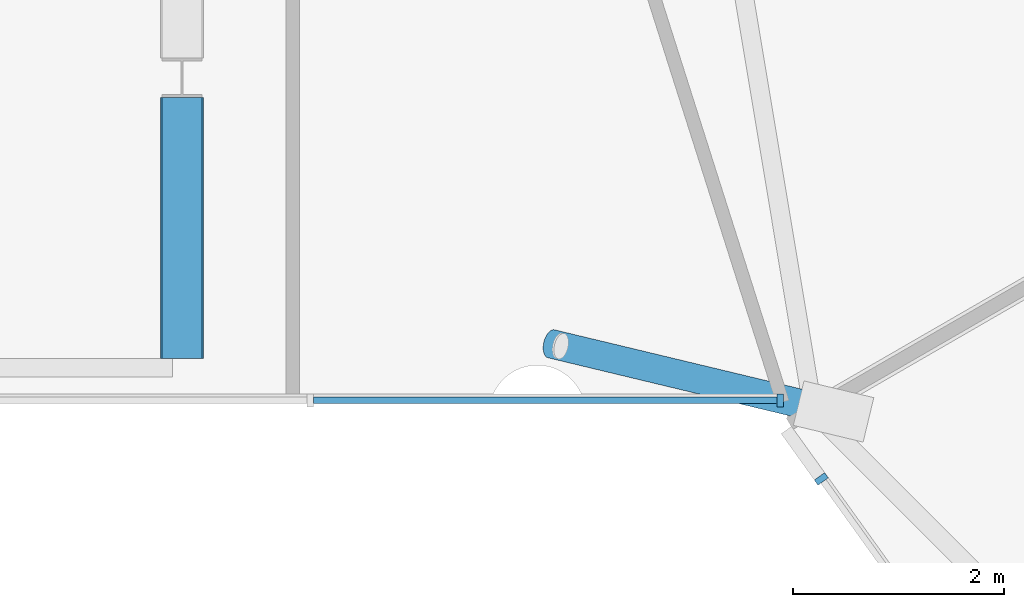
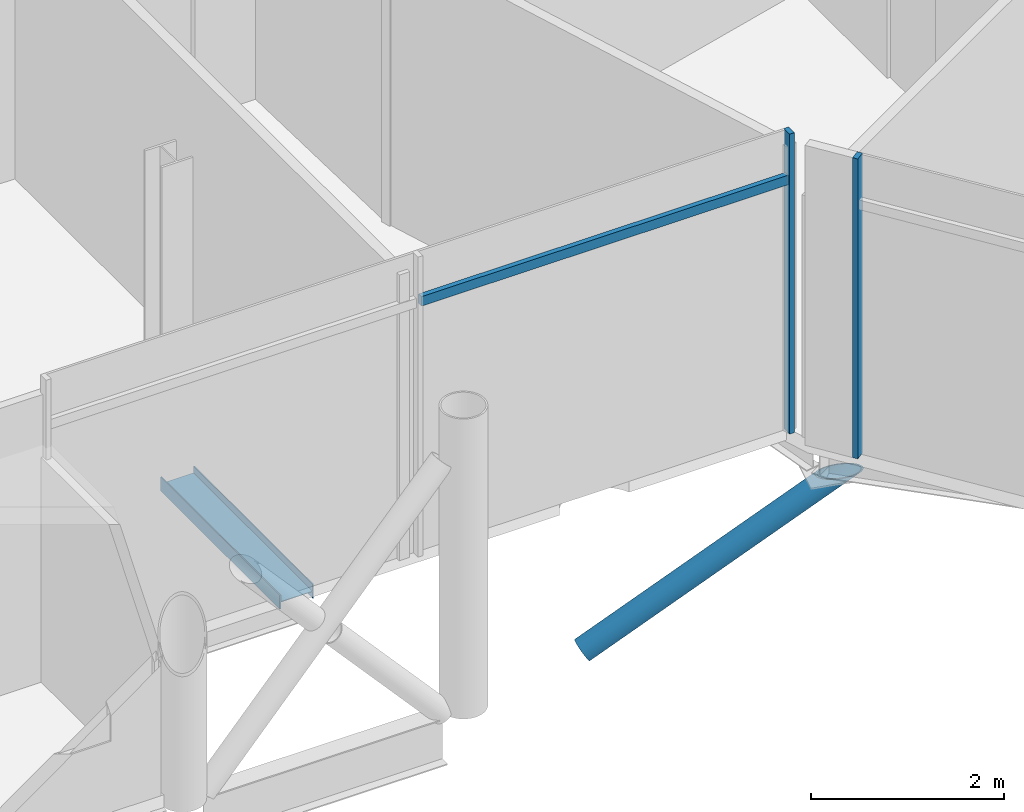
# One storey, part 7 of 39: 4 members, 1 beam, 2 elements without a shape of their own.
"""IFC4 building model written with IfcOpenShell, lengths in metres."""

from ifc_helpers import new_model, si_unit, direction, frame, origin, origin_2d, place, context, subcontext, project, spatial, rectangle, hollow_circle, i_section, extrude, clip, halfspace, material, material_profile, profile_set, type_object, element, aggregate, save


model = new_model("IFC4")

# Units and contexts
model_context = context("Model", 3, precision=1e-05, world=origin(), true_north=direction((0.0, 1.0)))
body_context = subcontext(model_context, "Body", "Model", "MODEL_VIEW")
ifc_project = project(units=[si_unit("LENGTHUNIT", "METRE"), si_unit("AREAUNIT", "SQUARE_METRE"), si_unit("VOLUMEUNIT", "CUBIC_METRE"), si_unit("PLANEANGLEUNIT", "RADIAN"), si_unit("MASSUNIT", "GRAM", prefix="KILO")], contexts=[model_context])

# Site, building, storey
site_placement = place(None, origin())
site = spatial("IfcSite", under=ifc_project, at=site_placement, CompositionType="ELEMENT")
building_placement = place(site_placement, origin())
building = spatial("IfcBuilding", under=site, at=building_placement, Name="Rimbun Link Towers", CompositionType="ELEMENT")
storey_placement = place(building_placement, frame((0.0, 0.0, 143.0)))
storey = spatial("IfcBuildingStorey", under=building, at=storey_placement, Name="L34", CompositionType="ELEMENT", Elevation=143.0)

# Curtain wall, member
ifc_material_1 = material(Name="Aluminium 6063-T6 and low-iron glass", Category="aluminium")
curtain_wall_type = type_object("IfcCurtainWallType", Name="CW4 link block wall", PredefinedType="NOTDEFINED", material=ifc_material_1)
curtain_wall_1_placement = place(storey_placement, origin())
curtain_wall_1 = element("IfcCurtainWall", 1, at=curtain_wall_1_placement, inside=storey, type_object=curtain_wall_type, Name="CW4 L34 T2", PredefinedType="NOTDEFINED")
ifc_material_2 = material(Name="Aluminium 6063-T6", Category="aluminium")
ifc_material_profile_1 = material_profile(ifc_material_2, rectangle(XDim=0.1201171875, YDim=0.06005859375, at=origin_2d()), Name="MULLION 60X120")
ifc_profile_set_1 = profile_set([ifc_material_profile_1], Name="Aluminium 6063-T6")
member_type_1 = type_object("IfcMemberType", Name="CW4 mullion 60X120", PredefinedType="MULLION", material=ifc_profile_set_1)
member_1_placement = place(storey_placement, frame((12.51171875, -11.803466796875, 0.0), z_axis=(0.0, 0.0, 1.0), x_axis=(-0.81246534364, -0.58300948996, 0.0)))
member_1 = element("IfcMember", 2, at=member_1_placement, type_object=member_type_1, Name="CW4 mullion", PredefinedType="MULLION", context=body_context, shape_type="SweptSolid", body=[
    extrude(rectangle(XDim=0.1201171875, YDim=0.06005859375, at=origin_2d()), origin(), (0.0, 0.0, 1.0), 3.800048828125),
])
aggregate(curtain_wall_1, [member_1])

# Curtain wall, members
curtain_wall_2_placement = place(storey_placement, origin())
curtain_wall_2 = element("IfcCurtainWall", 3, at=curtain_wall_2_placement, inside=storey, type_object=curtain_wall_type, Name="CW4 L34 LB", PredefinedType="NOTDEFINED")
member_2_placement = place(storey_placement, frame((12.121337890625, -11.06005859375, 0.0), z_axis=(0.0, 0.0, 1.0), x_axis=(0.0, -1.0, 0.0)))
member_2 = element("IfcMember", 4, at=member_2_placement, type_object=member_type_1, Name="CW4 mullion", PredefinedType="MULLION", context=body_context, shape_type="SweptSolid", body=[
    extrude(rectangle(XDim=0.1201171875, YDim=0.06005859375, at=origin_2d()), origin(), (0.0, 0.0, 1.0), 3.800048828125),
])
ifc_material_3 = material(Name="Aluminium 6063-T6", Category="aluminium")
ifc_material_profile_2 = material_profile(ifc_material_3, rectangle(XDim=0.06005859375, YDim=0.1201171875, at=origin_2d()), Name="TRANSOM 60X120")
ifc_profile_set_2 = profile_set([ifc_material_profile_2], Name="Aluminium 6063-T6")
member_type_2 = type_object("IfcMemberType", Name="CW4 transom 60X120", PredefinedType="USERDEFINED", material=ifc_profile_set_2)
member_3_placement = place(storey_placement, frame((12.09130859375, -11.05810546875, 3.199951171875), z_axis=(-1.0, 0.0, 0.0), x_axis=(0.0, -1.0, 0.0)))
member_3 = element("IfcMember", 5, at=member_3_placement, type_object=member_type_2, Name="CW4 transom", ObjectType="TRANSOM", PredefinedType="USERDEFINED", context=body_context, shape_type="SweptSolid", body=[
    extrude(rectangle(XDim=0.06005859375, YDim=0.1201171875, at=origin_2d()), origin(), (0.0, 0.0, 1.0), 4.39404296875),
])
aggregate(curtain_wall_2, [member_2, member_3])

# Member
ifc_material_4 = material(Name="Steel S355J2H", Category="steel")
ifc_material_profile_3 = material_profile(ifc_material_4, hollow_circle(Radius=0.136474609375, WallThickness=0.012451171875, at=origin_2d()), Name="CHS 273x12.5")
ifc_profile_set_3 = profile_set([ifc_material_profile_3], Name="Steel S355J2H")
member_type_3 = type_object("IfcMemberType", Name="Floor edge link CHS 273x12.5", PredefinedType="BRACE", material=ifc_profile_set_3)
member_4_placement = place(storey_placement, frame((12.4755859375, -11.128173828125, -0.74951171875), z_axis=(-0.827856313745, 0.198659902419, -0.524583803566), x_axis=(-0.23334450617, -0.972394128654, 0.0)))
element("IfcMember", 6, at=member_4_placement, inside=storey, type_object=member_type_3, Name="Floor edge link T2 L34 11", PredefinedType="BRACE", context=body_context, shape_type="Clipping", body=[
    clip(extrude(hollow_circle(Radius=0.136474609375, WallThickness=0.012451171875, at=origin_2d()), frame((0.0, 0.0, -0.462158203125)), (0.0, 0.0, 1.0), 3.51220703125), halfspace(frame((0.0, 0.0, -0.217529296875), z_axis=(0.0, 0.85135881568, -0.524583803566)), False)),
])

# Beam
ifc_material_5 = material(Name="Steel S355J2", Category="steel")
ifc_material_profile_4 = material_profile(ifc_material_5, i_section(OverallWidth=0.177978515625, OverallDepth=0.406494140625, WebThickness=0.0078125, FlangeThickness=0.0126953125, at=origin_2d()), Name="UKB 406x178x60")
ifc_profile_set_4 = profile_set([ifc_material_profile_4], Name="Steel S355J2")
beam_type = type_object("IfcBeamType", Name="Link floor beam UKB 406x178x60", PredefinedType="BEAM", material=ifc_profile_set_4)
beam_placement = place(storey_placement, frame((6.449951171875, -10.660888671875, -0.36328125), z_axis=(0.0, 1.0, 0.0), x_axis=(0.0, 0.0, 1.0)))
element("IfcBeam", 7, at=beam_placement, inside=storey, type_object=beam_type, Name="Link floor beam L34 08", PredefinedType="BEAM", context=body_context, shape_type="SweptSolid", body=[
    extrude(i_section(OverallWidth=0.177978515625, OverallDepth=0.406494140625, WebThickness=0.0078125, FlangeThickness=0.0126953125, at=origin_2d()), origin(), (0.0, 0.0, 1.0), 2.473388671875),
])

save(model, "model.ifc")
